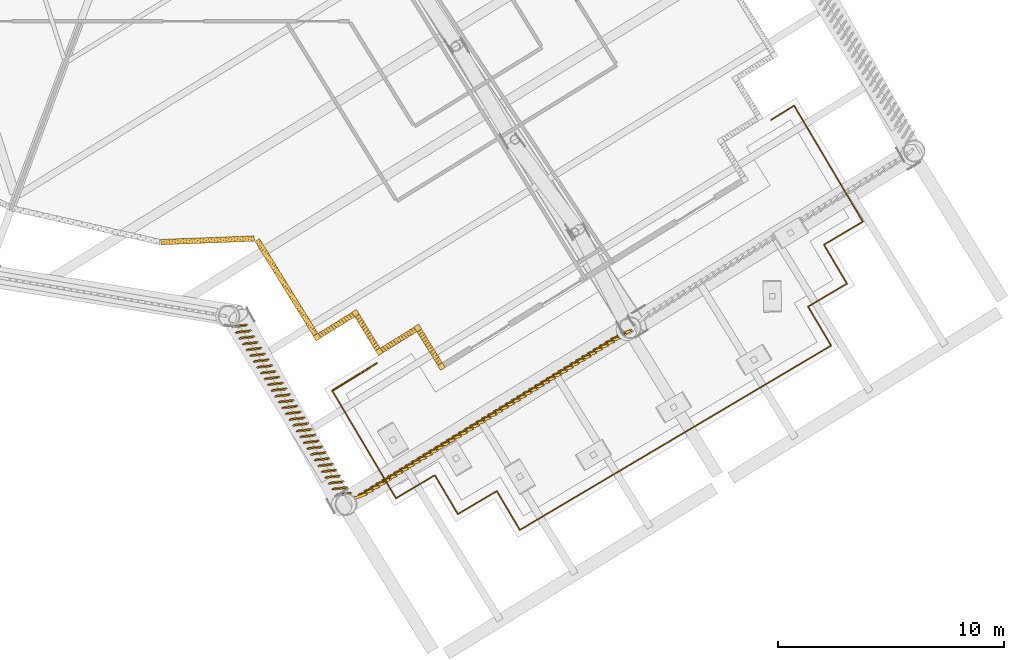
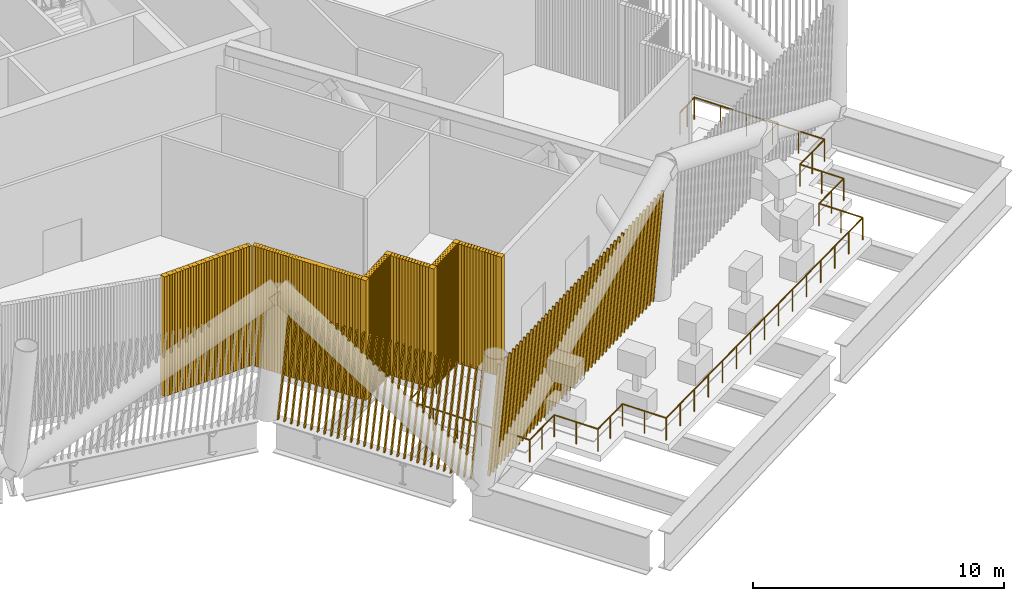
# One storey, part 31 of 40: 13 shading devices, 2 railings.
"""IFC4 building model written with IfcOpenShell, lengths in metres."""

from ifc_helpers import new_model, si_unit, direction, frame, frame_2d, origin, origin_2d, place, context, subcontext, project, spatial, rectangle, circle, composite_profile, extrude, material, type_object, element, save


model = new_model("IFC4")

# Units and contexts
model_context = context("Model", 3, precision=1e-05, world=origin(), true_north=direction((0.0, 1.0)))
body_context = subcontext(model_context, "Body", "Model", "MODEL_VIEW")
ifc_project = project(units=[si_unit("LENGTHUNIT", "METRE"), si_unit("AREAUNIT", "SQUARE_METRE"), si_unit("VOLUMEUNIT", "CUBIC_METRE"), si_unit("PLANEANGLEUNIT", "RADIAN"), si_unit("MASSUNIT", "GRAM", prefix="KILO")], contexts=[model_context])

# Site, building, storey
site_placement = place(None, origin())
site = spatial("IfcSite", under=ifc_project, at=site_placement, CompositionType="ELEMENT")
building_placement = place(site_placement, origin())
building = spatial("IfcBuilding", under=site, at=building_placement, Name="Tarsis Ring Headquarters", CompositionType="ELEMENT")
storey_placement = place(building_placement, frame((0.0, 0.0, 354.800048828125)))
storey = spatial("IfcBuildingStorey", under=building, at=storey_placement, Name="L84", CompositionType="ELEMENT", Elevation=354.800048828125)

# Railings
ifc_material_1 = material(Name="Stainless steel guard", Category="steel")
railing_type = type_object("IfcRailingType", Name="Guard rail with mesh infill 1100", PredefinedType="GUARDRAIL", material=ifc_material_1)
railing_1_placement = place(storey_placement, frame((5.20556640625, -32.334228515625, 0.0)))
element("IfcRailing", 1, at=railing_1_placement, inside=storey, type_object=railing_type, Name="Terrace guard L84-1.1", PredefinedType="GUARDRAIL", context=body_context, shape_type="SweptSolid", body=[
    extrude(circle(Radius=0.030029296875, at=origin_2d()), frame((0.0, 0.0, 1.070068359375), z_axis=(0.850981663683, 0.5251953999, 0.0), x_axis=(-0.5251953999, 0.850981663683, 0.0)), (0.0, 0.0, 1.0), 2.306640625),
    extrude(circle(Radius=0.02490234375, at=origin_2d()), origin(), (0.0, 0.0, 1.0), 1.0400390625),
    extrude(circle(Radius=0.02490234375, at=origin_2d()), frame((0.9814453125, 0.605712890625, 0.0)), (0.0, 0.0, 1.0), 1.0400390625),
    extrude(circle(Radius=0.02490234375, at=origin_2d()), frame((1.962890625, 1.21142578125, 0.0)), (0.0, 0.0, 1.0), 1.0400390625),
])
railing_2_placement = place(storey_placement, frame((24.604736328125, -20.3623046875, 0.0)))
element("IfcRailing", 2, at=railing_2_placement, inside=storey, type_object=railing_type, Name="Terrace guard L84-1.2", PredefinedType="GUARDRAIL", context=body_context, shape_type="SweptSolid", body=[
    extrude(circle(Radius=0.030029296875, at=origin_2d()), frame((0.0, 0.0, 1.070068359375), z_axis=(0.85097067715, 0.525213201119, 0.0), x_axis=(-0.525213201119, 0.85097067715, 0.0)), (0.0, 0.0, 1.0), 1.2080078125),
    extrude(circle(Radius=0.030029296875, at=origin_2d()), frame((1.028076171875, 0.634521484375, 1.070068359375), z_axis=(0.509658729304, -0.860376649871, 0.0), x_axis=(0.860376649871, 0.509658729304, 0.0)), (0.0, 0.0, 1.0), 5.962890625),
    extrude(circle(Radius=0.030029296875, at=origin_2d()), frame((4.067138671875, -4.495849609375, 1.070068359375), z_axis=(-0.860408491342, -0.509604972529, 0.0), x_axis=(0.509604972529, -0.860408491342, 0.0)), (0.0, 0.0, 1.0), 2.000244140625),
    extrude(circle(Radius=0.030029296875, at=origin_2d()), frame((2.34619140625, -5.51513671875, 1.070068359375), z_axis=(0.509658497092, -0.860376787426, 0.0), x_axis=(0.860376787426, 0.509658497092, 0.0)), (0.0, 0.0, 1.0), 2.0),
    extrude(circle(Radius=0.030029296875, at=origin_2d()), frame((3.365478515625, -7.23583984375, 1.070068359375), z_axis=(-0.860376787426, -0.509658497092, 0.0), x_axis=(0.509658497092, -0.860376787426, 0.0)), (0.0, 0.0, 1.0), 2.0),
    extrude(circle(Radius=0.030029296875, at=origin_2d()), frame((1.644775390625, -8.255126953125, 1.070068359375), z_axis=(0.509604972529, -0.860408491342, 0.0), x_axis=(0.860408491342, 0.509604972529, 0.0)), (0.0, 0.0, 1.0), 2.000244140625),
    extrude(circle(Radius=0.030029296875, at=origin_2d()), frame((2.6640625, -9.97607421875, 1.070068359375), z_axis=(-0.860384714342, -0.509645115082, 0.0), x_axis=(0.509645115082, -0.860384714342, 0.0)), (0.0, 0.0, 1.0), 16.0),
    extrude(circle(Radius=0.030029296875, at=origin_2d()), frame((-11.10205078125, -18.13037109375, 1.070068359375), z_axis=(-0.509604972529, 0.860408491342, 0.0), x_axis=(-0.860408491342, -0.509604972529, 0.0)), (0.0, 0.0, 1.0), 2.000244140625),
    extrude(circle(Radius=0.030029296875, at=origin_2d()), frame((-12.121337890625, -16.409423828125, 1.070068359375), z_axis=(-0.860408491342, -0.509604972529, 0.0), x_axis=(0.509604972529, -0.860408491342, 0.0)), (0.0, 0.0, 1.0), 2.000244140625),
    extrude(circle(Radius=0.030029296875, at=origin_2d()), frame((-13.84228515625, -17.4287109375, 1.070068359375), z_axis=(-0.509658497092, 0.860376787426, 0.0), x_axis=(-0.860376787426, -0.509658497092, 0.0)), (0.0, 0.0, 1.0), 2.0),
    extrude(circle(Radius=0.030029296875, at=origin_2d()), frame((-14.861572265625, -15.7080078125, 1.070068359375), z_axis=(-0.860376787426, -0.509658497092, 0.0), x_axis=(0.509658497092, -0.860376787426, 0.0)), (0.0, 0.0, 1.0), 2.0),
    extrude(circle(Radius=0.030029296875, at=origin_2d()), frame((-16.582275390625, -16.727294921875, 1.070068359375), z_axis=(-0.509654664986, 0.860379057427, 0.0), x_axis=(-0.860379057427, -0.509654664986, 0.0)), (0.0, 0.0, 1.0), 5.527099609375),
    extrude(circle(Radius=0.02490234375, at=origin_2d()), origin(), (0.0, 0.0, 1.0), 1.0400390625),
    extrude(circle(Radius=0.02490234375, at=origin_2d()), frame((0.51416015625, 0.3173828125, 0.0)), (0.0, 0.0, 1.0), 1.0400390625),
    extrude(circle(Radius=0.02490234375, at=origin_2d()), frame((1.028076171875, 0.634521484375, 0.0)), (0.0, 0.0, 1.0), 1.0400390625),
    extrude(circle(Radius=0.02490234375, at=origin_2d()), frame((1.635986328125, -0.3916015625, 0.0)), (0.0, 0.0, 1.0), 1.0400390625),
    extrude(circle(Radius=0.02490234375, at=origin_2d()), frame((2.24365234375, -1.417724609375, 0.0)), (0.0, 0.0, 1.0), 1.0400390625),
    extrude(circle(Radius=0.02490234375, at=origin_2d()), frame((2.8515625, -2.443603515625, 0.0)), (0.0, 0.0, 1.0), 1.0400390625),
    extrude(circle(Radius=0.02490234375, at=origin_2d()), frame((3.459228515625, -3.4697265625, 0.0)), (0.0, 0.0, 1.0), 1.0400390625),
    extrude(circle(Radius=0.02490234375, at=origin_2d()), frame((4.067138671875, -4.495849609375, 0.0)), (0.0, 0.0, 1.0), 1.0400390625),
    extrude(circle(Radius=0.02490234375, at=origin_2d()), frame((3.20654296875, -5.00537109375, 0.0)), (0.0, 0.0, 1.0), 1.0400390625),
    extrude(circle(Radius=0.02490234375, at=origin_2d()), frame((2.34619140625, -5.51513671875, 0.0)), (0.0, 0.0, 1.0), 1.0400390625),
    extrude(circle(Radius=0.02490234375, at=origin_2d()), frame((2.85595703125, -6.37548828125, 0.0)), (0.0, 0.0, 1.0), 1.0400390625),
    extrude(circle(Radius=0.02490234375, at=origin_2d()), frame((3.365478515625, -7.23583984375, 0.0)), (0.0, 0.0, 1.0), 1.0400390625),
    extrude(circle(Radius=0.02490234375, at=origin_2d()), frame((2.505126953125, -7.74560546875, 0.0)), (0.0, 0.0, 1.0), 1.0400390625),
    extrude(circle(Radius=0.02490234375, at=origin_2d()), frame((1.644775390625, -8.255126953125, 0.0)), (0.0, 0.0, 1.0), 1.0400390625),
    extrude(circle(Radius=0.02490234375, at=origin_2d()), frame((2.154296875, -9.11572265625, 0.0)), (0.0, 0.0, 1.0), 1.0400390625),
    extrude(circle(Radius=0.02490234375, at=origin_2d()), frame((2.6640625, -9.97607421875, 0.0)), (0.0, 0.0, 1.0), 1.0400390625),
    extrude(circle(Radius=0.02490234375, at=origin_2d()), frame((1.6806640625, -10.55859375, 0.0)), (0.0, 0.0, 1.0), 1.0400390625),
    extrude(circle(Radius=0.02490234375, at=origin_2d()), frame((0.697509765625, -11.140869140625, 0.0)), (0.0, 0.0, 1.0), 1.0400390625),
    extrude(circle(Radius=0.02490234375, at=origin_2d()), frame((-0.285888671875, -11.723388671875, 0.0)), (0.0, 0.0, 1.0), 1.0400390625),
    extrude(circle(Radius=0.02490234375, at=origin_2d()), frame((-1.26904296875, -12.305908203125, 0.0)), (0.0, 0.0, 1.0), 1.0400390625),
    extrude(circle(Radius=0.02490234375, at=origin_2d()), frame((-2.25244140625, -12.888427734375, 0.0)), (0.0, 0.0, 1.0), 1.0400390625),
    extrude(circle(Radius=0.02490234375, at=origin_2d()), frame((-3.235595703125, -13.470703125, 0.0)), (0.0, 0.0, 1.0), 1.0400390625),
    extrude(circle(Radius=0.02490234375, at=origin_2d()), frame((-4.218994140625, -14.05322265625, 0.0)), (0.0, 0.0, 1.0), 1.0400390625),
    extrude(circle(Radius=0.02490234375, at=origin_2d()), frame((-5.202392578125, -14.6357421875, 0.0)), (0.0, 0.0, 1.0), 1.0400390625),
    extrude(circle(Radius=0.02490234375, at=origin_2d()), frame((-6.185546875, -15.218017578125, 0.0)), (0.0, 0.0, 1.0), 1.0400390625),
    extrude(circle(Radius=0.02490234375, at=origin_2d()), frame((-7.1689453125, -15.800537109375, 0.0)), (0.0, 0.0, 1.0), 1.0400390625),
    extrude(circle(Radius=0.02490234375, at=origin_2d()), frame((-8.152099609375, -16.383056640625, 0.0)), (0.0, 0.0, 1.0), 1.0400390625),
    extrude(circle(Radius=0.02490234375, at=origin_2d()), frame((-9.135498046875, -16.965576171875, 0.0)), (0.0, 0.0, 1.0), 1.0400390625),
    extrude(circle(Radius=0.02490234375, at=origin_2d()), frame((-10.11865234375, -17.5478515625, 0.0)), (0.0, 0.0, 1.0), 1.0400390625),
    extrude(circle(Radius=0.02490234375, at=origin_2d()), frame((-11.10205078125, -18.13037109375, 0.0)), (0.0, 0.0, 1.0), 1.0400390625),
    extrude(circle(Radius=0.02490234375, at=origin_2d()), frame((-11.61181640625, -17.27001953125, 0.0)), (0.0, 0.0, 1.0), 1.0400390625),
    extrude(circle(Radius=0.02490234375, at=origin_2d()), frame((-12.121337890625, -16.409423828125, 0.0)), (0.0, 0.0, 1.0), 1.0400390625),
    extrude(circle(Radius=0.02490234375, at=origin_2d()), frame((-12.98193359375, -16.9189453125, 0.0)), (0.0, 0.0, 1.0), 1.0400390625),
    extrude(circle(Radius=0.02490234375, at=origin_2d()), frame((-13.84228515625, -17.4287109375, 0.0)), (0.0, 0.0, 1.0), 1.0400390625),
    extrude(circle(Radius=0.02490234375, at=origin_2d()), frame((-14.35205078125, -16.568359375, 0.0)), (0.0, 0.0, 1.0), 1.0400390625),
    extrude(circle(Radius=0.02490234375, at=origin_2d()), frame((-14.861572265625, -15.7080078125, 0.0)), (0.0, 0.0, 1.0), 1.0400390625),
    extrude(circle(Radius=0.02490234375, at=origin_2d()), frame((-15.721923828125, -16.2177734375, 0.0)), (0.0, 0.0, 1.0), 1.0400390625),
    extrude(circle(Radius=0.02490234375, at=origin_2d()), frame((-16.582275390625, -16.727294921875, 0.0)), (0.0, 0.0, 1.0), 1.0400390625),
    extrude(circle(Radius=0.02490234375, at=origin_2d()), frame((-17.145751953125, -15.776123046875, 0.0)), (0.0, 0.0, 1.0), 1.0400390625),
    extrude(circle(Radius=0.02490234375, at=origin_2d()), frame((-17.708984375, -14.8251953125, 0.0)), (0.0, 0.0, 1.0), 1.0400390625),
    extrude(circle(Radius=0.02490234375, at=origin_2d()), frame((-18.2724609375, -13.8740234375, 0.0)), (0.0, 0.0, 1.0), 1.0400390625),
    extrude(circle(Radius=0.02490234375, at=origin_2d()), frame((-18.835693359375, -12.923095703125, 0.0)), (0.0, 0.0, 1.0), 1.0400390625),
    extrude(circle(Radius=0.02490234375, at=origin_2d()), frame((-19.399169921875, -11.971923828125, 0.0)), (0.0, 0.0, 1.0), 1.0400390625),
])

# Shading devices
ifc_material_2 = material(Name="Aluminium louvre", Category="aluminium")
shading_device_type_1 = type_object("IfcShadingDeviceType", Name="Plant louvre fin", PredefinedType="USERDEFINED", material=ifc_material_2)
shading_device_1_placement = place(storey_placement, frame((-2.382568359375, -25.76171875, 0.0), z_axis=(0.0, 0.0, 1.0), x_axis=(0.999295319749, 0.037994010218, 0.0)))
element("IfcShadingDevice", 3, at=shading_device_1_placement, inside=storey, type_object=shading_device_type_1, Name="Louvre L84-05", ObjectType="Louvre", PredefinedType="USERDEFINED", context=body_context, shape_type="SweptSolid", body=[
    extrude(composite_profile([rectangle(XDim=0.1201171875, YDim=0.239990234375, at=frame_2d((0.076171875, 0.0), x_axis=(0.990268068742, 0.13917310096))), rectangle(XDim=0.1201171875, YDim=0.239990234375, at=frame_2d((0.201416015625, 0.0), x_axis=(0.990268068742, 0.13917310096))), rectangle(XDim=0.1201171875, YDim=0.239990234375, at=frame_2d((0.326416015625, 0.0), x_axis=(0.990268068742, 0.13917310096))), rectangle(XDim=0.1201171875, YDim=0.239990234375, at=frame_2d((0.45166015625, 0.0), x_axis=(0.990268068742, 0.13917310096))), rectangle(XDim=0.1201171875, YDim=0.239990234375, at=frame_2d((0.576904296875, 0.0), x_axis=(0.990268068742, 0.13917310096))), rectangle(XDim=0.1201171875, YDim=0.239990234375, at=frame_2d((0.701904296875, 0.0), x_axis=(0.990268068742, 0.13917310096))), rectangle(XDim=0.1201171875, YDim=0.239990234375, at=frame_2d((0.8271484375, 0.0), x_axis=(0.990268068742, 0.13917310096))), rectangle(XDim=0.1201171875, YDim=0.239990234375, at=frame_2d((0.952392578125, 0.0), x_axis=(0.990268068742, 0.13917310096))), rectangle(XDim=0.1201171875, YDim=0.239990234375, at=frame_2d((1.077392578125, 0.0), x_axis=(0.990268068742, 0.13917310096))), rectangle(XDim=0.1201171875, YDim=0.239990234375, at=frame_2d((1.20263671875, 0.0), x_axis=(0.990268068742, 0.13917310096))), rectangle(XDim=0.1201171875, YDim=0.239990234375, at=frame_2d((1.327880859375, 0.0), x_axis=(0.990268068742, 0.13917310096))), rectangle(XDim=0.1201171875, YDim=0.239990234375, at=frame_2d((1.452880859375, 0.0), x_axis=(0.990268068742, 0.13917310096))), rectangle(XDim=0.1201171875, YDim=0.239990234375, at=frame_2d((1.578125, 0.0), x_axis=(0.990268068742, 0.13917310096))), rectangle(XDim=0.1201171875, YDim=0.239990234375, at=frame_2d((1.703369140625, 0.0), x_axis=(0.990268068742, 0.13917310096))), rectangle(XDim=0.1201171875, YDim=0.239990234375, at=frame_2d((1.828369140625, 0.0), x_axis=(0.990268068742, 0.13917310096))), rectangle(XDim=0.1201171875, YDim=0.239990234375, at=frame_2d((1.95361328125, 0.0), x_axis=(0.990268068742, 0.13917310096))), rectangle(XDim=0.1201171875, YDim=0.239990234375, at=frame_2d((2.07861328125, 0.0), x_axis=(0.990268068742, 0.13917310096))), rectangle(XDim=0.1201171875, YDim=0.239990234375, at=frame_2d((2.203857421875, 0.0), x_axis=(0.990268068742, 0.13917310096))), rectangle(XDim=0.1201171875, YDim=0.239990234375, at=frame_2d((2.3291015625, 0.0), x_axis=(0.990268068742, 0.13917310096))), rectangle(XDim=0.1201171875, YDim=0.239990234375, at=frame_2d((2.4541015625, 0.0), x_axis=(0.990268068742, 0.13917310096))), rectangle(XDim=0.1201171875, YDim=0.239990234375, at=frame_2d((2.579345703125, 0.0), x_axis=(0.990268068742, 0.13917310096))), rectangle(XDim=0.1201171875, YDim=0.239990234375, at=frame_2d((2.70458984375, 0.0), x_axis=(0.990268068742, 0.13917310096))), rectangle(XDim=0.1201171875, YDim=0.239990234375, at=frame_2d((2.82958984375, 0.0), x_axis=(0.990268068742, 0.13917310096))), rectangle(XDim=0.1201171875, YDim=0.239990234375, at=frame_2d((2.954833984375, 0.0), x_axis=(0.990268068742, 0.13917310096))), rectangle(XDim=0.1201171875, YDim=0.239990234375, at=frame_2d((3.080078125, 0.0), x_axis=(0.990268068742, 0.13917310096))), rectangle(XDim=0.1201171875, YDim=0.239990234375, at=frame_2d((3.205078125, 0.0), x_axis=(0.990268068742, 0.13917310096))), rectangle(XDim=0.1201171875, YDim=0.239990234375, at=frame_2d((3.330322265625, 0.0), x_axis=(0.990268068742, 0.13917310096))), rectangle(XDim=0.1201171875, YDim=0.239990234375, at=frame_2d((3.45556640625, 0.0), x_axis=(0.990268068742, 0.13917310096))), rectangle(XDim=0.1201171875, YDim=0.239990234375, at=frame_2d((3.58056640625, 0.0), x_axis=(0.990268068742, 0.13917310096))), rectangle(XDim=0.1201171875, YDim=0.239990234375, at=frame_2d((3.705810546875, 0.0), x_axis=(0.990268068742, 0.13917310096))), rectangle(XDim=0.1201171875, YDim=0.239990234375, at=frame_2d((3.8310546875, 0.0), x_axis=(0.990268068742, 0.13917310096))), rectangle(XDim=0.1201171875, YDim=0.239990234375, at=frame_2d((3.9560546875, 0.0), x_axis=(0.990268068742, 0.13917310096))), rectangle(XDim=0.1201171875, YDim=0.239990234375, at=frame_2d((4.081298828125, 0.0), x_axis=(0.990268068742, 0.13917310096)))]), origin(), (0.0, 0.0, 1.0), 5.83984375),
])
shading_device_2_placement = place(storey_placement, frame((1.883056640625, -25.662841796875, 0.0), z_axis=(0.0, 0.0, 1.0), x_axis=(0.525172362482, -0.850999454392, 0.0)))
element("IfcShadingDevice", 4, at=shading_device_2_placement, inside=storey, type_object=shading_device_type_1, Name="Louvre L84-06", ObjectType="Louvre", PredefinedType="USERDEFINED", context=body_context, shape_type="SweptSolid", body=[
    extrude(composite_profile([rectangle(XDim=0.1201171875, YDim=0.239990234375, at=frame_2d((0.076171875, 0.0), x_axis=(0.990268068742, 0.13917310096))), rectangle(XDim=0.1201171875, YDim=0.239990234375, at=frame_2d((0.20166015625, 0.0), x_axis=(0.990268068742, 0.13917310096))), rectangle(XDim=0.1201171875, YDim=0.239990234375, at=frame_2d((0.3271484375, 0.0), x_axis=(0.990268068742, 0.13917310096))), rectangle(XDim=0.1201171875, YDim=0.239990234375, at=frame_2d((0.45263671875, 0.0), x_axis=(0.990268068742, 0.13917310096))), rectangle(XDim=0.1201171875, YDim=0.239990234375, at=frame_2d((0.578369140625, 0.0), x_axis=(0.990268068742, 0.13917310096))), rectangle(XDim=0.1201171875, YDim=0.239990234375, at=frame_2d((0.703857421875, 0.0), x_axis=(0.990268068742, 0.13917310096))), rectangle(XDim=0.1201171875, YDim=0.239990234375, at=frame_2d((0.829345703125, 0.0), x_axis=(0.990268068742, 0.13917310096))), rectangle(XDim=0.1201171875, YDim=0.239990234375, at=frame_2d((0.954833984375, 0.0), x_axis=(0.990268068742, 0.13917310096))), rectangle(XDim=0.1201171875, YDim=0.239990234375, at=frame_2d((1.080322265625, 0.0), x_axis=(0.990268068742, 0.13917310096))), rectangle(XDim=0.1201171875, YDim=0.239990234375, at=frame_2d((1.205810546875, 0.0), x_axis=(0.990268068742, 0.13917310096))), rectangle(XDim=0.1201171875, YDim=0.239990234375, at=frame_2d((1.331298828125, 0.0), x_axis=(0.990268068742, 0.13917310096))), rectangle(XDim=0.1201171875, YDim=0.239990234375, at=frame_2d((1.456787109375, 0.0), x_axis=(0.990268068742, 0.13917310096))), rectangle(XDim=0.1201171875, YDim=0.239990234375, at=frame_2d((1.58251953125, 0.0), x_axis=(0.990268068742, 0.13917310096))), rectangle(XDim=0.1201171875, YDim=0.239990234375, at=frame_2d((1.7080078125, 0.0), x_axis=(0.990268068742, 0.13917310096))), rectangle(XDim=0.1201171875, YDim=0.239990234375, at=frame_2d((1.83349609375, 0.0), x_axis=(0.990268068742, 0.13917310096))), rectangle(XDim=0.1201171875, YDim=0.239990234375, at=frame_2d((1.958984375, 0.0), x_axis=(0.990268068742, 0.13917310096))), rectangle(XDim=0.1201171875, YDim=0.239990234375, at=frame_2d((2.08447265625, 0.0), x_axis=(0.990268068742, 0.13917310096))), rectangle(XDim=0.1201171875, YDim=0.239990234375, at=frame_2d((2.2099609375, 0.0), x_axis=(0.990268068742, 0.13917310096))), rectangle(XDim=0.1201171875, YDim=0.239990234375, at=frame_2d((2.33544921875, 0.0), x_axis=(0.990268068742, 0.13917310096))), rectangle(XDim=0.1201171875, YDim=0.239990234375, at=frame_2d((2.461181640625, 0.0), x_axis=(0.990268068742, 0.13917310096))), rectangle(XDim=0.1201171875, YDim=0.239990234375, at=frame_2d((2.586669921875, 0.0), x_axis=(0.990268068742, 0.13917310096))), rectangle(XDim=0.1201171875, YDim=0.239990234375, at=frame_2d((2.712158203125, 0.0), x_axis=(0.990268068742, 0.13917310096))), rectangle(XDim=0.1201171875, YDim=0.239990234375, at=frame_2d((2.837646484375, 0.0), x_axis=(0.990268068742, 0.13917310096))), rectangle(XDim=0.1201171875, YDim=0.239990234375, at=frame_2d((2.963134765625, 0.0), x_axis=(0.990268068742, 0.13917310096))), rectangle(XDim=0.1201171875, YDim=0.239990234375, at=frame_2d((3.088623046875, 0.0), x_axis=(0.990268068742, 0.13917310096))), rectangle(XDim=0.1201171875, YDim=0.239990234375, at=frame_2d((3.214111328125, 0.0), x_axis=(0.990268068742, 0.13917310096))), rectangle(XDim=0.1201171875, YDim=0.239990234375, at=frame_2d((3.339599609375, 0.0), x_axis=(0.990268068742, 0.13917310096))), rectangle(XDim=0.1201171875, YDim=0.239990234375, at=frame_2d((3.46533203125, 0.0), x_axis=(0.990268068742, 0.13917310096))), rectangle(XDim=0.1201171875, YDim=0.239990234375, at=frame_2d((3.5908203125, 0.0), x_axis=(0.990268068742, 0.13917310096))), rectangle(XDim=0.1201171875, YDim=0.239990234375, at=frame_2d((3.71630859375, 0.0), x_axis=(0.990268068742, 0.13917310096))), rectangle(XDim=0.1201171875, YDim=0.239990234375, at=frame_2d((3.841796875, 0.0), x_axis=(0.990268068742, 0.13917310096))), rectangle(XDim=0.1201171875, YDim=0.239990234375, at=frame_2d((3.96728515625, 0.0), x_axis=(0.990268068742, 0.13917310096))), rectangle(XDim=0.1201171875, YDim=0.239990234375, at=frame_2d((4.0927734375, 0.0), x_axis=(0.990268068742, 0.13917310096))), rectangle(XDim=0.1201171875, YDim=0.239990234375, at=frame_2d((4.21826171875, 0.0), x_axis=(0.990268068742, 0.13917310096))), rectangle(XDim=0.1201171875, YDim=0.239990234375, at=frame_2d((4.34375, 0.0), x_axis=(0.990268068742, 0.13917310096))), rectangle(XDim=0.1201171875, YDim=0.239990234375, at=frame_2d((4.469482421875, 0.0), x_axis=(0.990268068742, 0.13917310096))), rectangle(XDim=0.1201171875, YDim=0.239990234375, at=frame_2d((4.594970703125, 0.0), x_axis=(0.990268068742, 0.13917310096))), rectangle(XDim=0.1201171875, YDim=0.239990234375, at=frame_2d((4.720458984375, 0.0), x_axis=(0.990268068742, 0.13917310096))), rectangle(XDim=0.1201171875, YDim=0.239990234375, at=frame_2d((4.845947265625, 0.0), x_axis=(0.990268068742, 0.13917310096)))]), origin(), (0.0, 0.0, 1.0), 5.83984375),
])
for number, where, z_axis, x_axis, name in (
    (5, (4.64013671875, -29.892333984375, 0.0), (0.0, 0.0, 1.0), (0.851004464286, 0.525251116071, 0.0), "Louvre L84-07"),
    (6, (6.30126953125, -29.013916015625, 0.0), (0.0, 0.0, 1.0), (0.525251116071, -0.851004464286, 0.0), "Louvre L84-08"),
    (7, (7.392333984375, -30.5439453125, 0.0), (0.0, 0.0, 1.0), (0.851004464286, 0.525251116071, 0.0), "Louvre L84-09"),
    (8, (9.0537109375, -29.66552734375, 0.0), (0.0, 0.0, 1.0), (0.525111607143, -0.851004464286, 0.0), "Louvre L84-10"),
):
    element("IfcShadingDevice", number, at=place(storey_placement, frame(where, z_axis=z_axis, x_axis=x_axis)), inside=storey, type_object=shading_device_type_1, Name=name, ObjectType="Louvre", PredefinedType="USERDEFINED", context=body_context, shape_type="SweptSolid", body=[
        extrude(composite_profile([rectangle(XDim=0.1201171875, YDim=0.239990234375, at=frame_2d((0.078125, 0.0), x_axis=(0.987688340595, 0.15643446504))), rectangle(XDim=0.1201171875, YDim=0.239990234375, at=frame_2d((0.2109375, 0.0), x_axis=(0.987688340595, 0.15643446504))), rectangle(XDim=0.1201171875, YDim=0.239990234375, at=frame_2d((0.34375, 0.0), x_axis=(0.987688340595, 0.15643446504))), rectangle(XDim=0.1201171875, YDim=0.239990234375, at=frame_2d((0.4765625, 0.0), x_axis=(0.987688340595, 0.15643446504))), rectangle(XDim=0.1201171875, YDim=0.239990234375, at=frame_2d((0.609375, 0.0), x_axis=(0.987688340595, 0.15643446504))), rectangle(XDim=0.1201171875, YDim=0.239990234375, at=frame_2d((0.7421875, 0.0), x_axis=(0.987688340595, 0.15643446504))), rectangle(XDim=0.1201171875, YDim=0.239990234375, at=frame_2d((0.875, 0.0), x_axis=(0.987688340595, 0.15643446504))), rectangle(XDim=0.1201171875, YDim=0.239990234375, at=frame_2d((1.0078125, 0.0), x_axis=(0.987688340595, 0.15643446504))), rectangle(XDim=0.1201171875, YDim=0.239990234375, at=frame_2d((1.140625, 0.0), x_axis=(0.987688340595, 0.15643446504))), rectangle(XDim=0.1201171875, YDim=0.239990234375, at=frame_2d((1.2734375, 0.0), x_axis=(0.987688340595, 0.15643446504))), rectangle(XDim=0.1201171875, YDim=0.239990234375, at=frame_2d((1.40625, 0.0), x_axis=(0.987688340595, 0.15643446504))), rectangle(XDim=0.1201171875, YDim=0.239990234375, at=frame_2d((1.5390625, 0.0), x_axis=(0.987688340595, 0.15643446504))), rectangle(XDim=0.1201171875, YDim=0.239990234375, at=frame_2d((1.671875, 0.0), x_axis=(0.987688340595, 0.15643446504)))]), origin(), (0.0, 0.0, 1.0), 5.83984375),
    ])
ifc_material_3 = material(Name="Terracotta baguette", Category="masonry")
shading_device_type_2 = type_object("IfcShadingDeviceType", Name="Terracotta baguette screen", PredefinedType="USERDEFINED", material=ifc_material_3)
shading_device_3_placement = place(storey_placement, frame((0.794921875, -29.46923828125, 0.0), z_axis=(0.0, 0.0, 1.0), x_axis=(0.525178858632, -0.851006599745, 0.0)))
element("IfcShadingDevice", 9, at=shading_device_3_placement, inside=storey, type_object=shading_device_type_2, Name="Baguette screen L84-01", ObjectType="Terracotta baguette screen", PredefinedType="USERDEFINED", context=body_context, shape_type="SweptSolid", body=[
    extrude(composite_profile([rectangle(XDim=0.06005859375, YDim=0.1201171875, at=frame_2d((0.030029296875, 0.0))), rectangle(XDim=0.06005859375, YDim=0.1201171875, at=frame_2d((0.33154296875, 0.0))), rectangle(XDim=0.06005859375, YDim=0.1201171875, at=frame_2d((0.633056640625, 0.0))), rectangle(XDim=0.06005859375, YDim=0.1201171875, at=frame_2d((0.9345703125, 0.0))), rectangle(XDim=0.06005859375, YDim=0.1201171875, at=frame_2d((1.236083984375, 0.0))), rectangle(XDim=0.06005859375, YDim=0.1201171875, at=frame_2d((1.53759765625, 0.0))), rectangle(XDim=0.06005859375, YDim=0.1201171875, at=frame_2d((1.839111328125, 0.0))), rectangle(XDim=0.06005859375, YDim=0.1201171875, at=frame_2d((2.140625, 0.0))), rectangle(XDim=0.06005859375, YDim=0.1201171875, at=frame_2d((2.442138671875, 0.0))), rectangle(XDim=0.06005859375, YDim=0.1201171875, at=frame_2d((2.74365234375, 0.0))), rectangle(XDim=0.06005859375, YDim=0.1201171875, at=frame_2d((3.045166015625, 0.0))), rectangle(XDim=0.06005859375, YDim=0.1201171875, at=frame_2d((3.3466796875, 0.0))), rectangle(XDim=0.06005859375, YDim=0.1201171875, at=frame_2d((3.648193359375, 0.0))), rectangle(XDim=0.06005859375, YDim=0.1201171875, at=frame_2d((3.94970703125, 0.0))), rectangle(XDim=0.06005859375, YDim=0.1201171875, at=frame_2d((4.251220703125, 0.0))), rectangle(XDim=0.06005859375, YDim=0.1201171875, at=frame_2d((4.552978515625, 0.0))), rectangle(XDim=0.06005859375, YDim=0.1201171875, at=frame_2d((4.8544921875, 0.0))), rectangle(XDim=0.06005859375, YDim=0.1201171875, at=frame_2d((5.156005859375, 0.0))), rectangle(XDim=0.06005859375, YDim=0.1201171875, at=frame_2d((5.45751953125, 0.0))), rectangle(XDim=0.06005859375, YDim=0.1201171875, at=frame_2d((5.759033203125, 0.0))), rectangle(XDim=0.06005859375, YDim=0.1201171875, at=frame_2d((6.060546875, 0.0))), rectangle(XDim=0.06005859375, YDim=0.1201171875, at=frame_2d((6.362060546875, 0.0))), rectangle(XDim=0.06005859375, YDim=0.1201171875, at=frame_2d((6.66357421875, 0.0))), rectangle(XDim=0.06005859375, YDim=0.1201171875, at=frame_2d((6.965087890625, 0.0))), rectangle(XDim=0.06005859375, YDim=0.1201171875, at=frame_2d((7.2666015625, 0.0))), rectangle(XDim=0.06005859375, YDim=0.1201171875, at=frame_2d((7.568115234375, 0.0))), rectangle(XDim=0.06005859375, YDim=0.1201171875, at=frame_2d((7.86962890625, 0.0))), rectangle(XDim=0.06005859375, YDim=0.1201171875, at=frame_2d((8.171142578125, 0.0))), rectangle(XDim=0.06005859375, YDim=0.1201171875, at=frame_2d((8.47265625, 0.0))), rectangle(XDim=0.06005859375, YDim=0.1201171875, at=frame_2d((8.774169921875, 0.0)))]), origin(), (0.051539433934, 0.106537663874, 0.992972010142), 5.116455078125),
])
shading_device_4_placement = place(storey_placement, frame((6.10693359375, -37.12451171875, 0.0), z_axis=(0.0, 0.0, 1.0), x_axis=(0.851001344562, 0.52517514684, 0.0)))
element("IfcShadingDevice", 10, at=shading_device_4_placement, inside=storey, type_object=shading_device_type_2, Name="Baguette screen L84-02", ObjectType="Terracotta baguette screen", PredefinedType="USERDEFINED", context=body_context, shape_type="SweptSolid", body=[
    extrude(composite_profile([rectangle(XDim=0.06005859375, YDim=0.1201171875, at=frame_2d((0.030029296875, 0.0))), rectangle(XDim=0.06005859375, YDim=0.1201171875, at=frame_2d((0.33544921875, 0.0))), rectangle(XDim=0.06005859375, YDim=0.1201171875, at=frame_2d((0.640625, 0.0))), rectangle(XDim=0.06005859375, YDim=0.1201171875, at=frame_2d((0.946044921875, 0.0))), rectangle(XDim=0.06005859375, YDim=0.1201171875, at=frame_2d((1.25146484375, 0.0))), rectangle(XDim=0.06005859375, YDim=0.1201171875, at=frame_2d((1.556640625, 0.0))), rectangle(XDim=0.06005859375, YDim=0.1201171875, at=frame_2d((1.862060546875, 0.0))), rectangle(XDim=0.06005859375, YDim=0.1201171875, at=frame_2d((2.16748046875, 0.0))), rectangle(XDim=0.06005859375, YDim=0.1201171875, at=frame_2d((2.47265625, 0.0))), rectangle(XDim=0.06005859375, YDim=0.1201171875, at=frame_2d((2.778076171875, 0.0))), rectangle(XDim=0.06005859375, YDim=0.1201171875, at=frame_2d((3.08349609375, 0.0))), rectangle(XDim=0.06005859375, YDim=0.1201171875, at=frame_2d((3.388671875, 0.0))), rectangle(XDim=0.06005859375, YDim=0.1201171875, at=frame_2d((3.694091796875, 0.0))), rectangle(XDim=0.06005859375, YDim=0.1201171875, at=frame_2d((3.99951171875, 0.0))), rectangle(XDim=0.06005859375, YDim=0.1201171875, at=frame_2d((4.3046875, 0.0))), rectangle(XDim=0.06005859375, YDim=0.1201171875, at=frame_2d((4.610107421875, 0.0))), rectangle(XDim=0.06005859375, YDim=0.1201171875, at=frame_2d((4.91552734375, 0.0))), rectangle(XDim=0.06005859375, YDim=0.1201171875, at=frame_2d((5.220703125, 0.0))), rectangle(XDim=0.06005859375, YDim=0.1201171875, at=frame_2d((5.526123046875, 0.0))), rectangle(XDim=0.06005859375, YDim=0.1201171875, at=frame_2d((5.83154296875, 0.0))), rectangle(XDim=0.06005859375, YDim=0.1201171875, at=frame_2d((6.13671875, 0.0))), rectangle(XDim=0.06005859375, YDim=0.1201171875, at=frame_2d((6.442138671875, 0.0))), rectangle(XDim=0.06005859375, YDim=0.1201171875, at=frame_2d((6.74755859375, 0.0))), rectangle(XDim=0.06005859375, YDim=0.1201171875, at=frame_2d((7.052734375, 0.0))), rectangle(XDim=0.06005859375, YDim=0.1201171875, at=frame_2d((7.358154296875, 0.0))), rectangle(XDim=0.06005859375, YDim=0.1201171875, at=frame_2d((7.66357421875, 0.0))), rectangle(XDim=0.06005859375, YDim=0.1201171875, at=frame_2d((7.96875, 0.0))), rectangle(XDim=0.06005859375, YDim=0.1201171875, at=frame_2d((8.274169921875, 0.0))), rectangle(XDim=0.06005859375, YDim=0.1201171875, at=frame_2d((8.57958984375, 0.0))), rectangle(XDim=0.06005859375, YDim=0.1201171875, at=frame_2d((8.884765625, 0.0))), rectangle(XDim=0.06005859375, YDim=0.1201171875, at=frame_2d((9.190185546875, 0.0))), rectangle(XDim=0.06005859375, YDim=0.1201171875, at=frame_2d((9.49560546875, 0.0))), rectangle(XDim=0.06005859375, YDim=0.1201171875, at=frame_2d((9.80078125, 0.0))), rectangle(XDim=0.06005859375, YDim=0.1201171875, at=frame_2d((10.106201171875, 0.0))), rectangle(XDim=0.06005859375, YDim=0.1201171875, at=frame_2d((10.41162109375, 0.0))), rectangle(XDim=0.06005859375, YDim=0.1201171875, at=frame_2d((10.716796875, 0.0))), rectangle(XDim=0.06005859375, YDim=0.1201171875, at=frame_2d((11.022216796875, 0.0))), rectangle(XDim=0.06005859375, YDim=0.1201171875, at=frame_2d((11.32763671875, 0.0))), rectangle(XDim=0.06005859375, YDim=0.1201171875, at=frame_2d((11.6328125, 0.0))), rectangle(XDim=0.06005859375, YDim=0.1201171875, at=frame_2d((11.938232421875, 0.0))), rectangle(XDim=0.06005859375, YDim=0.1201171875, at=frame_2d((12.24365234375, 0.0))), rectangle(XDim=0.06005859375, YDim=0.1201171875, at=frame_2d((12.548828125, 0.0))), rectangle(XDim=0.06005859375, YDim=0.1201171875, at=frame_2d((12.854248046875, 0.0))), rectangle(XDim=0.06005859375, YDim=0.1201171875, at=frame_2d((13.15966796875, 0.0))), rectangle(XDim=0.06005859375, YDim=0.1201171875, at=frame_2d((13.46484375, 0.0))), rectangle(XDim=0.06005859375, YDim=0.1201171875, at=frame_2d((13.770263671875, 0.0)))]), origin(), (0.123570226451, -0.025105936038, 0.992018190917), 5.121337890625),
])
shading_device_type_3 = type_object("IfcShadingDeviceType", Name="Terracotta corner baguette 250x250", PredefinedType="USERDEFINED", material=ifc_material_3)
for number, where, z_axis, x_axis, name in (
    (11, (4.53369140625, -29.9580078125, 0.0), (0.0, 0.0, 1.0), (0.525174629961, -0.850994481795, 0.0), "Corner baguette L84-07"),
    (12, (6.235595703125, -28.907470703125, 0.0), (0.0, 0.0, 1.0), (0.850994408466, 0.525174748783, 0.0), "Corner baguette L84-08"),
    (13, (7.2861328125, -30.609619140625, 0.0), (0.0, 0.0, 1.0), (0.525174882456, -0.850994325972, 0.0), "Corner baguette L84-09"),
    (14, (8.988037109375, -29.559326171875, 0.0), (0.0, 0.0, 1.0), (0.850994325972, 0.525174882456, 0.0), "Corner baguette L84-10"),
    (15, (10.038330078125, -31.26123046875, 0.0), (0.0, 0.0, 1.0), (0.525174525993, -0.850994545957, 0.0), "Corner baguette L84-11"),
):
    element("IfcShadingDevice", number, at=place(storey_placement, frame(where, z_axis=z_axis, x_axis=x_axis)), inside=storey, type_object=shading_device_type_3, Name=name, ObjectType="Terracotta corner baguette", PredefinedType="USERDEFINED", context=body_context, shape_type="SweptSolid", body=[
        extrude(rectangle(XDim=0.25, YDim=0.25, at=origin_2d()), origin(), (0.0, 0.0, 1.0), 5.840087890625),
    ])

save(model, "model.ifc")
